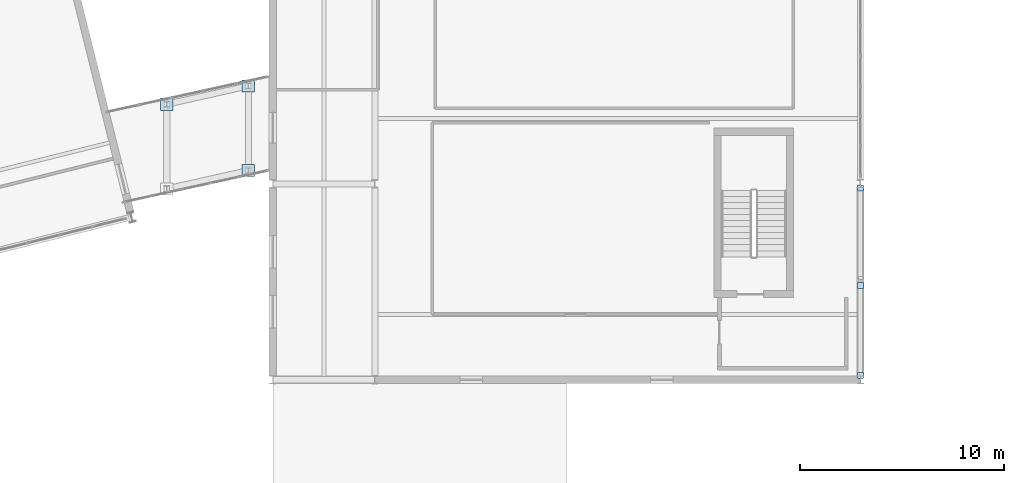
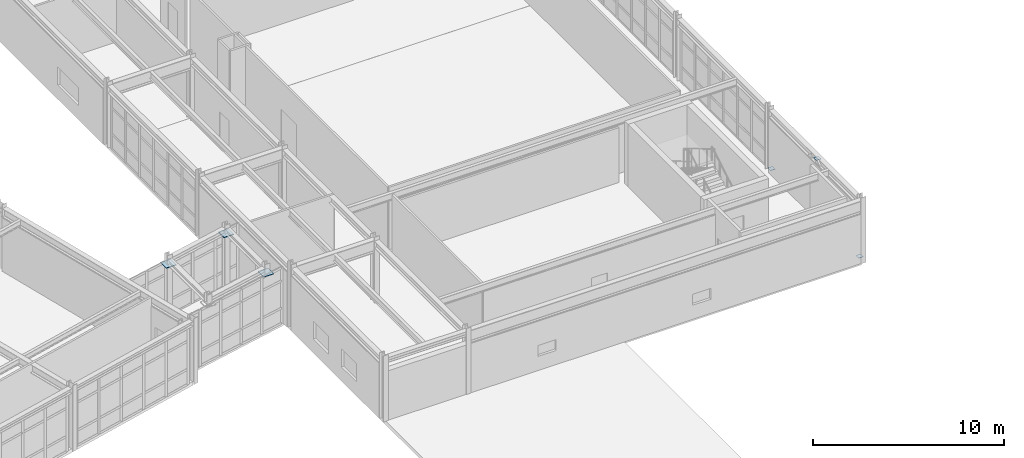
# One storey, part 65 of 88: 6 plates.
"""IFC4 building model written with IfcOpenShell, lengths in metres."""

import ifcopenshell
import ifcopenshell.guid

model = None  # the IFC model being written
_history = None  # IfcOwnerHistory: only IFC2X3 demands one
_inside = {}  # id of a spatial element -> (the spatial element, [elements in it])
_under = {}  # id of a project, library or spatial element -> (it, [spatial elements below it])
_declared = {}  # id of a project -> (the project, [libraries it declares])
_typed = {}  # id of a type object -> (the type object, [elements of that type])
_made_of = {}  # id of a material, layer set ... -> (it, [elements and type objects made of it])


def new_model(schema):
    """Start an empty IFC model of exactly this schema.

    Asked for "IFC4X3", IfcOpenShell would pick the latest addendum, in which some entities
    have other attributes; the version numbers below select the first issue.
    IFC2X3 requires an IfcOwnerHistory on every rooted entity: one is made here for all.
    """
    global model, _history
    if schema == "IFC4X3":
        model = ifcopenshell.file(schema_version=(4, 3, 0, 0))
    else:
        model = ifcopenshell.file(schema=schema)
    _inside.clear()
    _under.clear()
    _declared.clear()
    _typed.clear()
    _made_of.clear()
    _history = None
    if model.schema == "IFC2X3":
        org = make("IfcOrganization", Name="unknown")
        user = make(
            "IfcPersonAndOrganization",
            ThePerson=make("IfcPerson", FamilyName="unknown"),
            TheOrganization=org,
        )
        app = make(
            "IfcApplication",
            ApplicationDeveloper=org,
            Version="unknown",
            ApplicationFullName="unknown",
            ApplicationIdentifier="unknown",
        )
        _history = make(
            "IfcOwnerHistory",
            OwningUser=user,
            OwningApplication=app,
            ChangeAction="ADDED",
            CreationDate=0,
        )
    return model


def make(cls, **values):
    """One entity of the class cls with the attributes given. An attribute that is None is left unset."""
    return model.create_entity(
        cls, **{name: value for name, value in values.items() if value is not None}
    )


def rooted(cls, **values):
    """An entity with a GlobalId (a new one), such as an element, a storey or a relation."""
    return make(cls, GlobalId=ifcopenshell.guid.new(), OwnerHistory=_history, **values)


def si_unit(unit_type, name, prefix=None):
    """IfcSIUnit, for example si_unit("LENGTHUNIT", "METRE", prefix="MILLI")."""
    return make("IfcSIUnit", UnitType=unit_type, Prefix=prefix, Name=name)


def assignment(units):
    """IfcUnitAssignment: the units of a project."""
    return None if units is None else make("IfcUnitAssignment", Units=units)


def point(xyz):
    """IfcCartesianPoint."""
    return None if xyz is None else make("IfcCartesianPoint", Coordinates=xyz)


def direction(xyz):
    """IfcDirection."""
    return None if xyz is None else make("IfcDirection", DirectionRatios=xyz)


def frame(location, z_axis=None, x_axis=None):
    """IfcAxis2Placement3D, a coordinate frame: its origin and axes. An axis left out is left unset."""
    return make(
        "IfcAxis2Placement3D",
        Location=point(location),
        Axis=direction(z_axis),
        RefDirection=direction(x_axis),
    )


def frame_2d(location, x_axis=None):
    """IfcAxis2Placement2D, a coordinate frame in the plane: its origin and x axis."""
    return make(
        "IfcAxis2Placement2D", Location=point(location), RefDirection=direction(x_axis)
    )


def origin():
    """The frame at (0, 0, 0) with its axes left unset."""
    return frame((0.0, 0.0, 0.0))


def origin_2d():
    """The frame at (0, 0) in the plane with its x axis left unset."""
    return frame_2d((0.0, 0.0))


def place(relative_to, where):
    """IfcLocalPlacement: puts the frame where relative to a parent placement (None: the world)."""
    return make(
        "IfcLocalPlacement", PlacementRelTo=relative_to, RelativePlacement=where
    )


def context(
    kind, dimensions, precision=None, world=None, true_north=None, identifier=None
):
    """IfcGeometricRepresentationContext, for example the 3D "Model" context."""
    return make(
        "IfcGeometricRepresentationContext",
        ContextIdentifier=identifier,
        ContextType=kind,
        CoordinateSpaceDimension=dimensions,
        Precision=precision,
        WorldCoordinateSystem=world,
        TrueNorth=true_north,
    )


def subcontext(parent, identifier, kind, view, scale=None):
    """IfcGeometricRepresentationSubContext, for example "Body" below "Model"."""
    return make(
        "IfcGeometricRepresentationSubContext",
        ContextIdentifier=identifier,
        ContextType=kind,
        ParentContext=parent,
        TargetScale=scale,
        TargetView=view,
    )


def project(units=None, contexts=None):
    """IfcProject with its units and contexts."""
    return rooted(
        "IfcProject",
        Name="project",
        RepresentationContexts=contexts,
        UnitsInContext=assignment(units),
    )


def spatial(cls, under=None, at=None, **own):
    """A site, building, storey or space (cls), placed at a placement, below another one or the project."""
    s = rooted(cls, ObjectPlacement=at, **own)
    if under is not None:
        _under.setdefault(under.id(), (under, []))[1].append(s)
    return s


def profile(cls, at=None, kind="AREA", **sizes):
    """A parametric profile (cls). Its sizes go by their IFC names, for example OverallWidth=200.0."""
    return make(cls, ProfileType=kind, Position=at, **sizes)


def rectangle(**sizes):
    """IfcRectangleProfileDef."""
    return profile("IfcRectangleProfileDef", **sizes)


def extrude(swept, where, along, depth):
    """IfcExtrudedAreaSolid: the profile swept, set in the frame where, extruded along a direction by depth."""
    return make(
        "IfcExtrudedAreaSolid",
        SweptArea=swept,
        Position=where,
        ExtrudedDirection=direction(along),
        Depth=depth,
    )


def shape(context_of_items, identifier, shape_type, items):
    """IfcShapeRepresentation: the items that make up one representation, for example the "Body"."""
    return make(
        "IfcShapeRepresentation",
        ContextOfItems=context_of_items,
        RepresentationIdentifier=identifier,
        RepresentationType=shape_type,
        Items=items,
    )


def material(Name=None, Category=None):
    """IfcMaterial."""
    return make("IfcMaterial", Name=Name, Category=Category)


def layer(
    of_material, thickness, ventilated=None, Name=None, Category=None, Priority=None
):
    """IfcMaterialLayer: one layer of a wall or slab, of a material (None: an air gap)."""
    return make(
        "IfcMaterialLayer",
        Material=of_material,
        LayerThickness=thickness,
        IsVentilated=ventilated,
        Name=Name,
        Category=Category,
        Priority=Priority,
    )


def layer_set(layers, Name=None):
    """IfcMaterialLayerSet."""
    return make("IfcMaterialLayerSet", MaterialLayers=layers, LayerSetName=Name)


def made_of(thing, what):
    """Note that an element or type object is made of a material, layer set ...; save() writes the relation."""
    if what is not None:
        _made_of.setdefault(what.id(), (what, []))[1].append(thing)
    return thing


def type_object(cls, material=None, **own):
    """A type object (cls), such as IfcWallType, which elements share."""
    return made_of(rooted(cls, **own), material)


def element(
    cls,
    number,
    at=None,
    inside=None,
    cuts=None,
    type_object=None,
    material=None,
    context=None,
    identifier="Body",
    shape_type=None,
    held_by="IfcProductDefinitionShape",
    body=None,
    shapes=None,
    **own,
):
    """One element of the class cls, such as IfcWall. Its Tag is "e" and its number.

    at: its placement. inside: the storey or other place that contains it. cuts: it is an
    opening in that element (IfcRelVoidsElement). A single representation is given by context,
    identifier, shape_type and body (its items); several are given by shapes. held_by: the class
    of the entity that holds the representations. save() writes the other relations.
    """
    e = rooted(cls, Tag="e%d" % number, ObjectPlacement=at, **own)
    if body is not None:
        shapes = [shape(context, identifier, shape_type, body)]
    if shapes is not None:
        e.Representation = make(held_by, Representations=shapes)
    if inside is not None:
        _inside.setdefault(inside.id(), (inside, []))[1].append(e)
    if cuts is not None:
        rooted(
            "IfcRelVoidsElement", RelatingBuildingElement=cuts, RelatedOpeningElement=e
        )
    if type_object is not None:
        _typed.setdefault(type_object.id(), (type_object, []))[1].append(e)
    return made_of(e, material)


def aggregate(whole, parts):
    """IfcRelAggregates: a whole, such as a stair, and the parts it consists of."""
    return rooted("IfcRelAggregates", RelatingObject=whole, RelatedObjects=parts)


def save(model, path):
    """Write the relations noted so far, then the file.

    IfcRelAggregates (storeys below a building ...), IfcRelContainedInSpatialStructure (elements
    in a storey), IfcRelDefinesByType, IfcRelAssociatesMaterial and IfcRelDeclares: one each for
    every whole, place, type object, material and project.
    """
    for whole, parts in _under.values():
        aggregate(whole, parts)
    for where, things in _inside.values():
        rooted(
            "IfcRelContainedInSpatialStructure",
            RelatedElements=things,
            RelatingStructure=where,
        )
    for kind, things in _typed.values():
        rooted("IfcRelDefinesByType", RelatedObjects=things, RelatingType=kind)
    for what, things in _made_of.values():
        rooted("IfcRelAssociatesMaterial", RelatedObjects=things, RelatingMaterial=what)
    for by, libraries in _declared.values():
        rooted("IfcRelDeclares", RelatingContext=by, RelatedDefinitions=libraries)
    model.write(path)


model = new_model("IFC4")

# Units and contexts
model_context = context("Model", 3, precision=1e-05, world=origin(), true_north=direction((0.0, 1.0)))
body_context = subcontext(model_context, "Body", "Model", "MODEL_VIEW")
ifc_project = project(units=[si_unit("LENGTHUNIT", "METRE"), si_unit("AREAUNIT", "SQUARE_METRE"), si_unit("VOLUMEUNIT", "CUBIC_METRE"), si_unit("PLANEANGLEUNIT", "RADIAN"), si_unit("MASSUNIT", "GRAM", prefix="KILO")], contexts=[model_context])

# Site, building, storey
site_placement = place(None, origin())
site = spatial("IfcSite", under=ifc_project, at=site_placement, CompositionType="ELEMENT")
building_placement = place(site_placement, origin())
building = spatial("IfcBuilding", under=site, at=building_placement, Name="Nordkorset Police Headquarters", CompositionType="ELEMENT")
storey_placement = place(building_placement, frame((0.0, 0.0, 9.449951171875)))
storey = spatial("IfcBuildingStorey", under=building, at=storey_placement, Name="L02", CompositionType="ELEMENT", Elevation=9.449951171875)

# Plates
ifc_material_1 = material(Name="Steel S355J2", Category="steel")
ifc_layer_1 = layer(ifc_material_1, 0.02001953125, Name="Steel S355J2")
ifc_layer_set_1 = layer_set([ifc_layer_1], Name="Steel S355J2")
plate_type_1 = type_object("IfcPlateType", Name="SteelPlate_20mm", PredefinedType="SHEET", material=ifc_layer_set_1)
for number, where, z_axis, x_axis, name in (
    (1, (115.199951171875, 48.199951171875, 0.18994140625), (0.0, 0.0, 1.0), (1.0, 0.0, 0.0), "Hollow Section End Cap Plate BF-EXT-V5E0-L02-D1-0"),
    (2, (115.199951171875, 52.6201171875, 3.739990234375), (0.0, 0.0, 1.0), (1.0, 0.0, 0.0), "Hollow Section End Cap Plate BF-EXT-V5E0-L02-D1-1"),
    (3, (115.199951171875, 57.39990234375, 0.18994140625), (0.0, 0.0, 1.0), (1.0, 0.0, 0.0), "Hollow Section End Cap Plate BF-EXT-V5E0-L02-D2-0"),
):
    element("IfcPlate", number, at=place(storey_placement, frame(where, z_axis=z_axis, x_axis=x_axis)), inside=storey, type_object=plate_type_1, Name=name, PredefinedType="SHEET", context=body_context, shape_type="SweptSolid", body=[
        extrude(rectangle(XDim=0.2900390625, YDim=0.2900390625, at=origin_2d()), origin(), (0.0, 0.0, 1.0), 0.02001953125),
    ])
ifc_material_2 = material(Name="Steel S355J2", Category="steel")
ifc_layer_2 = layer(ifc_material_2, 0.0400390625, Name="Steel S355J2")
ifc_layer_set_2 = layer_set([ifc_layer_2], Name="Steel S355J2")
plate_type_2 = type_object("IfcPlateType", Name="SteelPlate_40mm", PredefinedType="SHEET", material=ifc_layer_set_2)
for number, where, z_axis, x_axis, name in (
    (4, (85.199951171875, 58.25, 3.531005859375), (0.0, 0.0, 1.0), (1.0, 0.0, 0.0), "Bridge Bearing Seat Plate 600mm BRG-E L02 2"),
    (5, (81.199951171875, 61.5, 3.531005859375), (0.0, 0.0, 1.0), (1.0, 0.0, 0.0), "Bridge Bearing Seat Plate 600mm BRG-E L02 3"),
    (6, (85.199951171875, 62.39990234375, 3.531005859375), (0.0, 0.0, 1.0), (1.0, 0.0, 0.0), "Bridge Bearing Seat Plate 600mm BRG-E L02 4"),
):
    element("IfcPlate", number, at=place(storey_placement, frame(where, z_axis=z_axis, x_axis=x_axis)), inside=storey, type_object=plate_type_2, Name=name, PredefinedType="SHEET", context=body_context, shape_type="SweptSolid", body=[
        extrude(rectangle(XDim=0.60009765625, YDim=0.60009765625, at=origin_2d()), origin(), (0.0, 0.0, 1.0), 0.0400390625),
    ])

save(model, "model.ifc")
